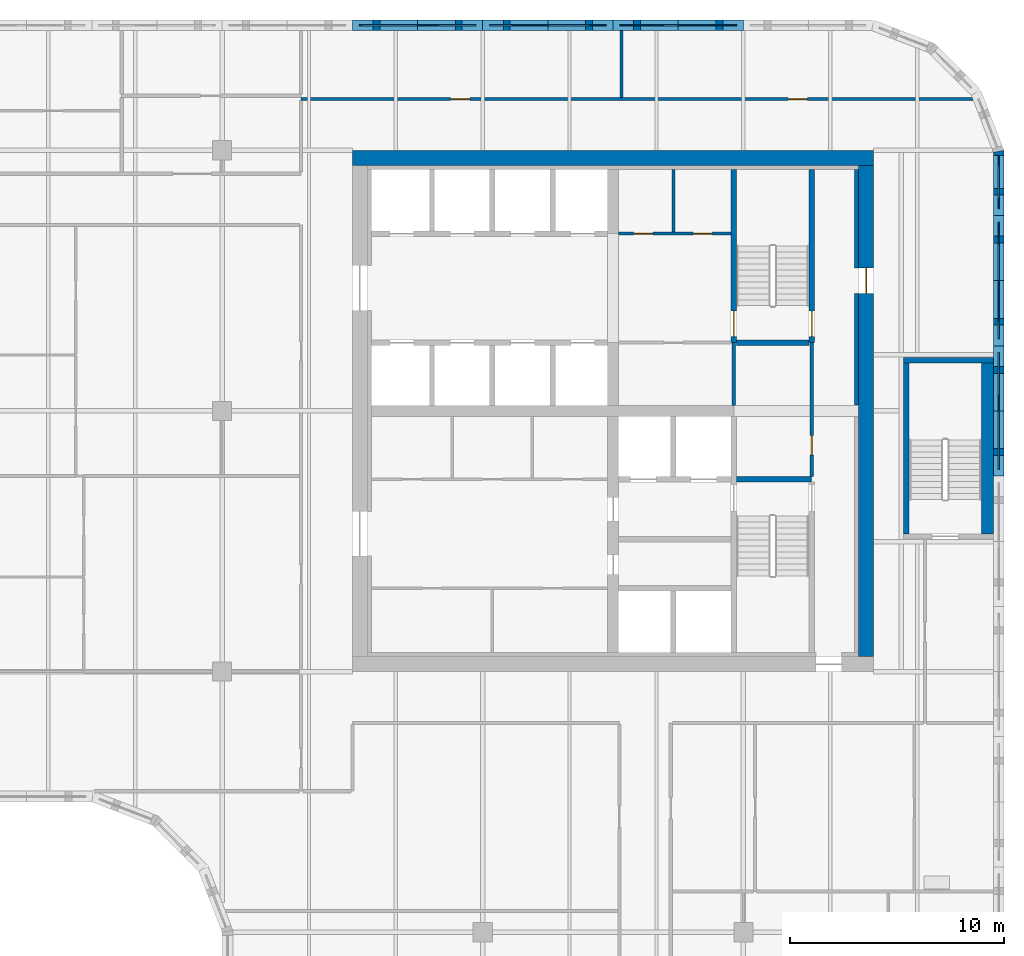
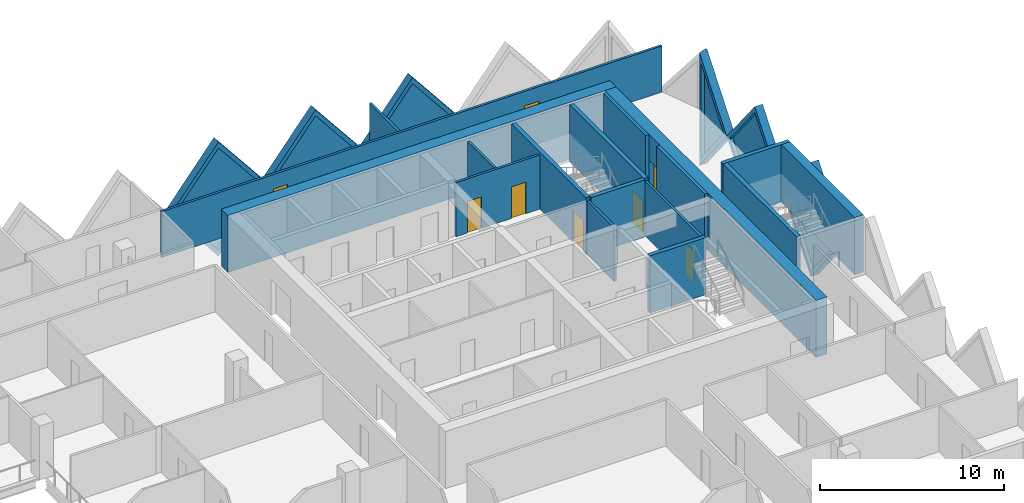
# One storey, part 9 of 12: 23 walls, 8 doors, 6 plates, 14 openings.
"""IFC4 building model written with IfcOpenShell, lengths in metres."""

from ifc_helpers import new_model, si_unit, direction, frame, frame_2d, origin, place, context, subcontext, project, spatial, polyline, rectangle, outline, extrude, faceted_brep, source, transform, mapped, material, layer, layer_set, type_object, element, fill, save


model = new_model("IFC4")

# Units and contexts
model_context = context("Model", 3, precision=1e-05, world=origin(), true_north=direction((0.0, 1.0)))
body_context = subcontext(model_context, "Body", "Model", "MODEL_VIEW")
ifc_project = project(units=[si_unit("LENGTHUNIT", "METRE"), si_unit("AREAUNIT", "SQUARE_METRE"), si_unit("VOLUMEUNIT", "CUBIC_METRE"), si_unit("PLANEANGLEUNIT", "RADIAN"), si_unit("MASSUNIT", "GRAM", prefix="KILO")], contexts=[model_context])

# Site, building, storey
site_placement = place(None, origin())
site = spatial("IfcSite", under=ifc_project, at=site_placement, CompositionType="ELEMENT")
building_placement = place(site_placement, origin())
building = spatial("IfcBuilding", under=site, at=building_placement, Name="Tessera Gate Towers", CompositionType="ELEMENT")
storey_placement = place(building_placement, frame((0.0, 0.0, 124.0)))
storey = spatial("IfcBuildingStorey", under=building, at=storey_placement, Name="L30", CompositionType="ELEMENT", Elevation=124.0)

# Wall
ifc_material_1 = material(Name="Concrete C40/50", Category="concrete")
ifc_layer_1 = layer(ifc_material_1, 0.25)
ifc_layer_set_1 = layer_set([ifc_layer_1], Name="CORE ENCLOSURE WALL 250")
wall_type_1 = type_object("IfcWallType", Name="CORE ENCLOSURE WALL 250", PredefinedType="SOLIDWALL", material=ifc_layer_set_1)
wall_1_placement = place(storey_placement, frame((48.47509765625, 33.39990234375, 0.0), z_axis=(0.0, 0.0, 1.0), x_axis=(1.0, 0.0, 0.0)))
element("IfcWall", 1, at=wall_1_placement, inside=storey, type_object=wall_type_1, Name="L30 shaft and stair enclosure wall", PredefinedType="SOLIDWALL", context=body_context, shape_type="SweptSolid", body=[
    extrude(rectangle(XDim=3.52490234375, YDim=0.25, at=frame_2d((1.762451171875, 0.0))), origin(), (0.0, 0.0, 1.0), 3.800048828125),
])

# Wall, opening, door
wall_2_placement = place(storey_placement, frame((48.35009765625, 47.89990234375, 0.0), z_axis=(0.0, 0.0, 1.0), x_axis=(0.0, -1.0, 0.0)))
wall_2 = element("IfcWall", 2, at=wall_2_placement, inside=storey, type_object=wall_type_1, Name="L30 shaft and stair enclosure wall", PredefinedType="SOLIDWALL", context=body_context, shape_type="SweptSolid", body=[
    extrude(rectangle(XDim=8.099853515625, YDim=0.25, at=frame_2d((4.0498046875, 0.0))), origin(), (0.0, 0.0, 1.0), 3.800048828125),
])
shared_shape_1 = source(origin(), body_context, "Body", "SweptSolid", [
    extrude(rectangle(XDim=1.199951171875, YDim=2.10009765625, at=frame_2d((0.60009765625, 1.050048828125))), frame((0.0, 0.135009765625, 0.0), z_axis=(0.0, -1.0, 0.0), x_axis=(1.0, 0.0, 0.0)), (0.0, 0.0, 1.0), 0.27001953125),
])
opening_1_placement = place(wall_2_placement, frame((6.625, 0.0, 0.0)))
opening_1 = element("IfcOpeningElement", 3, at=opening_1_placement, cuts=wall_2, Name="Opening SD-ST2-1", PredefinedType="OPENING", context=body_context, shape_type="MappedRepresentation", body=[
    mapped(shared_shape_1, transform((0.0, 0.0, 0.0), scale=1.0)),
])
ifc_material_2 = material(Name="Hollow steel fire door", Category="steel")
door_type_1 = type_object("IfcDoorType", Name="CORE DOOR SD 1200x2100", OperationType="NOTDEFINED", PredefinedType="DOOR", material=ifc_material_2)
shared_shape_2 = source(origin(), body_context, "Body", "SweptSolid", [
    extrude(rectangle(XDim=1.199951171875, YDim=2.10009765625, at=frame_2d((0.60009765625, 1.050048828125))), frame((0.0, 0.02490234375, 0.0), z_axis=(0.0, -1.0, 0.0), x_axis=(1.0, 0.0, 0.0)), (0.0, 0.0, 1.0), 0.050048828125),
])
door_1_placement = place(opening_1_placement, origin())
door_1 = element("IfcDoor", 4, at=door_1_placement, inside=storey, type_object=door_type_1, Name="Stair door", OperationType="SINGLE_SWING_RIGHT", OverallHeight=2.10009765625, OverallWidth=1.199951171875, PredefinedType="DOOR", context=body_context, shape_type="MappedRepresentation", body=[
    mapped(shared_shape_2, transform((0.0, 0.0, 0.0), scale=1.0)),
])
fill(opening_1, door_1)

wall_3_placement = place(storey_placement, frame((52.0, 39.800048828125, 0.0), z_axis=(0.0, 0.0, 1.0), x_axis=(0.0, 1.0, 0.0)))
wall_3 = element("IfcWall", 5, at=wall_3_placement, inside=storey, type_object=wall_type_1, Name="L30 shaft and stair enclosure wall", PredefinedType="SOLIDWALL", context=body_context, shape_type="SweptSolid", body=[
    extrude(rectangle(XDim=8.099853515625, YDim=0.25, at=frame_2d((4.0498046875, 0.0))), origin(), (0.0, 0.0, 1.0), 3.800048828125),
])
opening_2_placement = place(wall_3_placement, frame((0.27490234375, 0.0, 0.0)))
opening_2 = element("IfcOpeningElement", 6, at=opening_2_placement, cuts=wall_3, Name="Opening SD-ST2-2", PredefinedType="OPENING", context=body_context, shape_type="MappedRepresentation", body=[
    mapped(shared_shape_1, transform((0.0, 0.0, 0.0), scale=1.0)),
])
door_2_placement = place(opening_2_placement, origin())
door_2 = element("IfcDoor", 7, at=door_2_placement, inside=storey, type_object=door_type_1, Name="Stair door", OperationType="SINGLE_SWING_LEFT", OverallHeight=2.10009765625, OverallWidth=1.199951171875, PredefinedType="DOOR", context=body_context, shape_type="MappedRepresentation", body=[
    mapped(shared_shape_2, transform((0.0, 0.0, 0.0), scale=1.0)),
])
fill(opening_2, door_2)

# Walls
wall_4_placement = place(storey_placement, frame((48.47509765625, 39.800048828125, 0.0), z_axis=(0.0, 0.0, 1.0), x_axis=(1.0, 0.0, 0.0)))
element("IfcWall", 8, at=wall_4_placement, inside=storey, type_object=wall_type_1, Name="L30 shaft and stair enclosure wall", PredefinedType="SOLIDWALL", context=body_context, shape_type="SweptSolid", body=[
    extrude(rectangle(XDim=3.39990234375, YDim=0.25, at=frame_2d((1.699951171875, 0.0))), origin(), (0.0, 0.0, 1.0), 3.800048828125),
])
wall_5_placement = place(storey_placement, frame((56.425048828125, 30.85009765625, 0.0), z_axis=(0.0, 0.0, 1.0), x_axis=(0.0, 1.0, 0.0)))
element("IfcWall", 9, at=wall_5_placement, inside=storey, type_object=wall_type_1, Name="L30 ST5 enclosure wall", PredefinedType="SOLIDWALL", context=body_context, shape_type="SweptSolid", body=[
    extrude(rectangle(XDim=8.0, YDim=0.25, at=frame_2d((4.0, 0.0))), origin(), (0.0, 0.0, 1.0), 3.800048828125),
])
wall_6_placement = place(storey_placement, frame((56.300048828125, 38.97509765625, 0.0), z_axis=(0.0, 0.0, 1.0), x_axis=(1.0, 0.0, 0.0)))
element("IfcWall", 10, at=wall_6_placement, inside=storey, type_object=wall_type_1, Name="L30 ST5 enclosure wall", PredefinedType="SOLIDWALL", context=body_context, shape_type="SweptSolid", body=[
    extrude(rectangle(XDim=4.199951171875, YDim=0.25, at=frame_2d((2.10009765625, 0.0))), origin(), (0.0, 0.0, 1.0), 3.800048828125),
])
ifc_material_3 = material(Name="Concrete C40/50", Category="concrete")
ifc_layer_2 = layer(ifc_material_3, 0.550048828125)
ifc_layer_set_2 = layer_set([ifc_layer_2], Name="CORE ENCLOSURE WALL 550")
wall_type_2 = type_object("IfcWallType", Name="CORE ENCLOSURE WALL 550", PredefinedType="SOLIDWALL", material=ifc_layer_set_2)
wall_7_placement = place(storey_placement, frame((60.22509765625, 38.85009765625, 0.0), z_axis=(0.0, 0.0, 1.0), x_axis=(0.0, -1.0, 0.0)))
element("IfcWall", 11, at=wall_7_placement, inside=storey, type_object=wall_type_2, Name="L30 ST5 enclosure wall", PredefinedType="SOLIDWALL", context=body_context, shape_type="SweptSolid", body=[
    extrude(rectangle(XDim=8.0, YDim=0.550048828125, at=frame_2d((4.0, 0.0))), origin(), (0.0, 0.0, 1.0), 3.800048828125),
])
ifc_material_4 = material(Name="Concrete C60/75", Category="concrete")
ifc_layer_3 = layer(ifc_material_4, 0.699951171875)
ifc_layer_set_3 = layer_set([ifc_layer_3], Name="CORE SHEAR WALL 700 C60/75")
wall_type_3 = type_object("IfcWallType", Name="CORE SHEAR WALL 700 C60/75", PredefinedType="SHEAR", material=ifc_layer_set_3)
wall_8_placement = place(storey_placement, frame((30.5, 48.449951171875, 0.0), z_axis=(0.0, 0.0, 1.0), x_axis=(1.0, 0.0, 0.0)))
element("IfcWall", 12, at=wall_8_placement, inside=storey, type_object=wall_type_3, Name="Core wall N L30", PredefinedType="SHEAR", context=body_context, shape_type="SweptSolid", body=[
    extrude(rectangle(XDim=24.39990234375, YDim=0.699951171875, at=frame_2d((12.199951171875, 0.0))), origin(), (0.0, 0.0, 1.0), 3.800048828125),
])

# Wall, opening, door
wall_9_placement = place(storey_placement, frame((54.550048828125, 48.10009765625, 0.0), z_axis=(0.0, 0.0, 1.0), x_axis=(0.0, -1.0, 0.0)))
wall_9 = element("IfcWall", 13, at=wall_9_placement, inside=storey, type_object=wall_type_3, Name="Core wall E L30", PredefinedType="SHEAR", context=body_context, shape_type="SweptSolid", body=[
    extrude(rectangle(XDim=23.0, YDim=0.699951171875, at=frame_2d((11.5, 0.0))), origin(), (0.0, 0.0, 1.0), 3.800048828125),
])
shared_shape_3 = source(origin(), body_context, "Body", "SweptSolid", [
    extrude(rectangle(XDim=1.199951171875, YDim=2.10009765625, at=frame_2d((0.60009765625, 1.050048828125))), frame((0.0, 0.35986328125, 0.0), z_axis=(0.0, -1.0, 0.0), x_axis=(1.0, 0.0, 0.0)), (0.0, 0.0, 1.0), 0.719970703125),
])
opening_3_placement = place(wall_9_placement, frame((4.800048828125, 0.0, 0.0)))
opening_3 = element("IfcOpeningElement", 14, at=opening_3_placement, cuts=wall_9, Name="Opening ED-T1-21-04", PredefinedType="OPENING", context=body_context, shape_type="MappedRepresentation", body=[
    mapped(shared_shape_3, transform((0.0, 0.0, 0.0), scale=1.0)),
])
ifc_material_5 = material(Name="Hollow steel fire door", Category="steel")
door_type_2 = type_object("IfcDoorType", Name="CORE DOOR ED 1200x2100", OperationType="NOTDEFINED", PredefinedType="DOOR", material=ifc_material_5)
door_3_placement = place(opening_3_placement, origin())
door_3 = element("IfcDoor", 15, at=door_3_placement, inside=storey, type_object=door_type_2, Name="Core exit door", OperationType="SINGLE_SWING_LEFT", OverallHeight=2.10009765625, OverallWidth=1.199951171875, PredefinedType="DOOR", context=body_context, shape_type="MappedRepresentation", body=[
    mapped(shared_shape_2, transform((0.0, 0.0, 0.0), scale=1.0)),
])
fill(opening_3, door_3)

# Walls
ifc_material_6 = material(Name="Concrete C60/75", Category="concrete")
ifc_layer_4 = layer(ifc_material_6, 0.199951171875)
ifc_layer_set_4 = layer_set([ifc_layer_4], Name="CORE WALL THICKENING 200")
wall_type_4 = type_object("IfcWallType", Name="CORE WALL THICKENING 200", PredefinedType="SOLIDWALL", material=ifc_layer_set_4)
wall_10_placement = place(storey_placement, frame((54.10009765625, 36.8798828125, 0.0), z_axis=(0.0, 0.0, 1.0), x_axis=(0.0, 1.0, 0.0)))
element("IfcWall", 16, at=wall_10_placement, inside=storey, type_object=wall_type_4, Name="Core wall thickening E L30", PredefinedType="SOLIDWALL", context=body_context, shape_type="SweptSolid", body=[
    extrude(rectangle(XDim=5.22021484375, YDim=0.199951171875, at=frame_2d((2.610107421875, 0.0))), origin(), (0.0, 0.0, 1.0), 3.800048828125),
])
wall_11_placement = place(storey_placement, frame((54.10009765625, 43.300048828125, 0.0), z_axis=(0.0, 0.0, 1.0), x_axis=(0.0, 1.0, 0.0)))
element("IfcWall", 17, at=wall_11_placement, inside=storey, type_object=wall_type_4, Name="Core wall thickening E L30", PredefinedType="SOLIDWALL", context=body_context, shape_type="SweptSolid", body=[
    extrude(rectangle(XDim=4.599853515625, YDim=0.199951171875, at=frame_2d((2.2998046875, 0.0))), origin(), (0.0, 0.0, 1.0), 3.800048828125),
])

# Wall, openings, doors
ifc_material_7 = material(Name="Gypsum board on steel studs, mineral wool", Category="steel")
ifc_layer_5 = layer(ifc_material_7, 0.14990234375)
ifc_layer_set_5 = layer_set([ifc_layer_5], Name="CORRIDOR WALL 150")
wall_type_5 = type_object("IfcWallType", Name="CORRIDOR WALL 150", PredefinedType="PARTITIONING", material=ifc_layer_set_5)
wall_12_placement = place(storey_placement, frame((28.10009765625, 51.199951171875, 0.0), z_axis=(0.0, 0.0, 1.0), x_axis=(1.0, 0.0, 0.0)))
wall_12 = element("IfcWall", 18, at=wall_12_placement, inside=storey, type_object=wall_type_5, Name="T1-L30-PW-046", PredefinedType="PARTITIONING", context=body_context, shape_type="SweptSolid", body=[
    extrude(rectangle(XDim=31.438232421875, YDim=0.14990234375, at=frame_2d((15.71923828125, 0.0))), origin(), (0.0, 0.0, 1.0), 3.06689453125),
])
shared_shape_4 = source(origin(), body_context, "Body", "SweptSolid", [
    extrude(rectangle(XDim=0.89990234375, YDim=2.10009765625, at=frame_2d((0.449951171875, 1.050048828125))), frame((0.0, 0.0849609375, 0.0), z_axis=(0.0, -1.0, 0.0), x_axis=(1.0, 0.0, 0.0)), (0.0, 0.0, 1.0), 0.169921875),
])
opening_4_placement = place(wall_12_placement, frame((7.0, 0.0, 0.0)))
opening_4 = element("IfcOpeningElement", 19, at=opening_4_placement, cuts=wall_12, Name="Opening D890FD60-A11-08", PredefinedType="OPENING", context=body_context, shape_type="MappedRepresentation", body=[
    mapped(shared_shape_4, transform((0.0, 0.0, 0.0), scale=1.0)),
])
opening_5_placement = place(wall_12_placement, frame((22.800048828125, 0.0, 0.0)))
opening_5 = element("IfcOpeningElement", 20, at=opening_5_placement, cuts=wall_12, Name="Opening D890FD60-A11-09", PredefinedType="OPENING", context=body_context, shape_type="MappedRepresentation", body=[
    mapped(shared_shape_4, transform((0.0, 0.0, 0.0), scale=1.0)),
])
ifc_material_8 = material(Name="Timber door leaf in steel frame", Category="steel")
door_type_3 = type_object("IfcDoorType", Name="CORRIDOR DOOR 900 FD60", OperationType="NOTDEFINED", PredefinedType="DOOR", material=ifc_material_8)
shared_shape_5 = source(origin(), body_context, "Body", "SweptSolid", [
    extrude(rectangle(XDim=0.89990234375, YDim=2.10009765625, at=frame_2d((0.449951171875, 1.050048828125))), frame((0.0, 0.02490234375, 0.0), z_axis=(0.0, -1.0, 0.0), x_axis=(1.0, 0.0, 0.0)), (0.0, 0.0, 1.0), 0.050048828125),
])
door_4_placement = place(opening_4_placement, origin())
door_4 = element("IfcDoor", 21, at=door_4_placement, inside=storey, type_object=door_type_3, Name="T1-L30-PD-024", OperationType="SINGLE_SWING_LEFT", OverallHeight=2.10009765625, OverallWidth=0.89990234375, PredefinedType="DOOR", context=body_context, shape_type="MappedRepresentation", body=[
    mapped(shared_shape_5, transform((0.0, 0.0, 0.0), scale=1.0)),
])
fill(opening_4, door_4)
door_5_placement = place(opening_5_placement, origin())
door_5 = element("IfcDoor", 22, at=door_5_placement, inside=storey, type_object=door_type_3, Name="T1-L30-PD-025", OperationType="SINGLE_SWING_LEFT", OverallHeight=2.10009765625, OverallWidth=0.89990234375, PredefinedType="DOOR", context=body_context, shape_type="MappedRepresentation", body=[
    mapped(shared_shape_5, transform((0.0, 0.0, 0.0), scale=1.0)),
])
fill(opening_5, door_5)

# Wall, opening, door
ifc_material_9 = material(Name="Gypsum board on steel studs", Category="steel")
ifc_layer_6 = layer(ifc_material_9, 0.14990234375)
ifc_layer_set_6 = layer_set([ifc_layer_6], Name="SERVICE ROOM WALL 150")
wall_type_6 = type_object("IfcWallType", Name="SERVICE ROOM WALL 150", PredefinedType="PARTITIONING", material=ifc_layer_set_6)
wall_13_placement = place(storey_placement, frame((52.0, 33.52490234375, 0.0), z_axis=(0.0, 0.0, 1.0), x_axis=(0.0, 1.0, 0.0)))
wall_13 = element("IfcWall", 23, at=wall_13_placement, inside=storey, type_object=wall_type_6, Name="L30 service room wall", PredefinedType="PARTITIONING", context=body_context, shape_type="SweptSolid", body=[
    extrude(rectangle(XDim=6.275146484375, YDim=0.14990234375, at=frame_2d((3.1376953125, 0.0))), origin(), (0.0, 0.0, 1.0), 3.60009765625),
])
opening_6_placement = place(wall_13_placement, frame((1.02490234375, 0.0, 0.0)))
opening_6 = element("IfcOpeningElement", 24, at=opening_6_placement, cuts=wall_13, Name="Opening RD-T1-21-12", PredefinedType="OPENING", context=body_context, shape_type="MappedRepresentation", body=[
    mapped(shared_shape_4, transform((0.0, 0.0, 0.0), scale=1.0)),
])
ifc_material_10 = material(Name="Hollow steel fire door", Category="steel")
door_type_4 = type_object("IfcDoorType", Name="CORE DOOR RD 900x2100", OperationType="NOTDEFINED", PredefinedType="DOOR", material=ifc_material_10)
door_6_placement = place(opening_6_placement, origin())
door_6 = element("IfcDoor", 25, at=door_6_placement, inside=storey, type_object=door_type_4, Name="Core room door", OperationType="SINGLE_SWING_LEFT", OverallHeight=2.10009765625, OverallWidth=0.89990234375, PredefinedType="DOOR", context=body_context, shape_type="MappedRepresentation", body=[
    mapped(shared_shape_5, transform((0.0, 0.0, 0.0), scale=1.0)),
])
fill(opening_6, door_6)

# Wall, openings, doors
wall_14_placement = place(storey_placement, frame((42.949951171875, 44.89990234375, 0.0), z_axis=(0.0, 0.0, 1.0), x_axis=(1.0, 0.0, 0.0)))
wall_14 = element("IfcWall", 26, at=wall_14_placement, inside=storey, type_object=wall_type_6, Name="L30 service room wall", PredefinedType="PARTITIONING", context=body_context, shape_type="SweptSolid", body=[
    extrude(rectangle(XDim=5.275146484375, YDim=0.14990234375, at=frame_2d((2.6376953125, 0.0))), origin(), (0.0, 0.0, 1.0), 3.60009765625),
])
opening_7_placement = place(wall_14_placement, frame((0.71240234375, 0.0, 0.0)))
opening_7 = element("IfcOpeningElement", 27, at=opening_7_placement, cuts=wall_14, Name="Opening RD-T1-21-14", PredefinedType="OPENING", context=body_context, shape_type="MappedRepresentation", body=[
    mapped(shared_shape_4, transform((0.0, 0.0, 0.0), scale=1.0)),
])
opening_8_placement = place(wall_14_placement, frame((3.5, 0.0, 0.0)))
opening_8 = element("IfcOpeningElement", 28, at=opening_8_placement, cuts=wall_14, Name="Opening RD-T1-21-15", PredefinedType="OPENING", context=body_context, shape_type="MappedRepresentation", body=[
    mapped(shared_shape_4, transform((0.0, 0.0, 0.0), scale=1.0)),
])
door_7_placement = place(opening_7_placement, origin())
door_7 = element("IfcDoor", 29, at=door_7_placement, inside=storey, type_object=door_type_4, Name="Core room door", OperationType="SINGLE_SWING_LEFT", OverallHeight=2.10009765625, OverallWidth=0.89990234375, PredefinedType="DOOR", context=body_context, shape_type="MappedRepresentation", body=[
    mapped(shared_shape_5, transform((0.0, 0.0, 0.0), scale=1.0)),
])
fill(opening_7, door_7)
door_8_placement = place(opening_8_placement, origin())
door_8 = element("IfcDoor", 30, at=door_8_placement, inside=storey, type_object=door_type_4, Name="Core room door", OperationType="SINGLE_SWING_RIGHT", OverallHeight=2.10009765625, OverallWidth=0.89990234375, PredefinedType="DOOR", context=body_context, shape_type="MappedRepresentation", body=[
    mapped(shared_shape_5, transform((0.0, 0.0, 0.0), scale=1.0)),
])
fill(opening_8, door_8)

# Walls
wall_15_placement = place(storey_placement, frame((48.35009765625, 36.85009765625, 0.0), z_axis=(0.0, 0.0, 1.0), x_axis=(0.0, 1.0, 0.0)))
element("IfcWall", 31, at=wall_15_placement, inside=storey, type_object=wall_type_6, Name="L30 service room wall", PredefinedType="PARTITIONING", context=body_context, shape_type="SweptSolid", body=[
    extrude(rectangle(XDim=2.949951171875, YDim=0.14990234375, at=frame_2d((1.47509765625, 0.0))), origin(), (0.0, 0.0, 1.0), 3.60009765625),
])
wall_16_placement = place(storey_placement, frame((45.52490234375, 44.97509765625, 0.0), z_axis=(0.0, 0.0, 1.0), x_axis=(0.0, 1.0, 0.0)))
element("IfcWall", 32, at=wall_16_placement, inside=storey, type_object=wall_type_6, Name="L30 service room wall", PredefinedType="PARTITIONING", context=body_context, shape_type="SweptSolid", body=[
    extrude(rectangle(XDim=2.9248046875, YDim=0.14990234375, at=frame_2d((1.46240234375, 0.0))), origin(), (0.0, 0.0, 1.0), 3.60009765625),
])
ifc_material_11 = material(Name="Gypsum board on steel studs, mineral wool", Category="steel")
ifc_layer_7 = layer(ifc_material_11, 0.14990234375)
ifc_layer_set_7 = layer_set([ifc_layer_7], Name="TENANCY WALL 150")
wall_type_7 = type_object("IfcWallType", Name="TENANCY WALL 150", PredefinedType="PARTITIONING", material=ifc_layer_set_7)
wall_17_placement = place(storey_placement, frame((43.10009765625, 51.27587890625, 0.0), z_axis=(0.0, 0.0, 1.0), x_axis=(0.0, 1.0, 0.0)))
element("IfcWall", 33, at=wall_17_placement, inside=storey, type_object=wall_type_7, Name="T1-L30-PW-047", PredefinedType="PARTITIONING", context=body_context, shape_type="SweptSolid", body=[
    extrude(rectangle(XDim=3.1240234375, YDim=0.14990234375, at=frame_2d((1.56201171875, 0.0))), origin(), (0.0, 0.0, 1.0), 3.06689453125),
])

# Wall, opening, plate
ifc_material_12 = material(Name="Precast concrete C60/75 white", Category="concrete")
ifc_layer_8 = layer(ifc_material_12, 0.5)
ifc_layer_set_8 = layer_set([ifc_layer_8], Name="TS1 tessera")
wall_type_8 = type_object("IfcWallType", Name="TS1 tessera", PredefinedType="SOLIDWALL", material=ifc_layer_set_8)
shared_shape_6 = source(origin(), body_context, "Body", "Brep", [
    faceted_brep([(3.050048828125, -0.25, 0.0), (6.099853515625, -0.25, 3.7998046875), (6.099853515625, -0.25, 3.80029296875), (3.050048828125, -0.25, 7.60009765625), (0.0, -0.25, 3.800048828125), (0.0, 0.25, 3.800048828125), (3.050048828125, 0.25, 7.60009765625), (6.099853515625, 0.25, 3.80029296875), (6.099853515625, 0.25, 3.7998046875), (3.050048828125, 0.25, 0.0)], [[[0, 1, 2, 3, 4]], [[5, 6, 7, 8, 9]], [[9, 8, 1, 0]], [[7, 6, 3, 2]], [[6, 5, 4, 3]], [[5, 9, 0, 4]], [[1, 8, 7, 2]]]),
])
wall_18_placement = place(storey_placement, frame((60.75, 33.550048828125, -3.800048828125), z_axis=(0.0, 0.0, 1.0), x_axis=(0.0, 1.0, 0.0)))
wall_18 = element("IfcWall", 34, at=wall_18_placement, inside=storey, type_object=wall_type_8, Name="Precast tessera T1 TS1-0491", PredefinedType="SOLIDWALL", context=body_context, shape_type="MappedRepresentation", body=[
    mapped(shared_shape_6, transform((0.0, 0.0, 0.0), scale=1.0)),
])
shared_shape_7 = source(origin(), body_context, "Body", "SweptSolid", [
    extrude(outline(polyline([(3.050048828125, 0.3994140625), (5.779541015625, 3.800048828125), (3.050048828125, 7.20068359375), (0.320556640625, 3.800048828125), (3.050048828125, 0.3994140625)])), frame((0.0, 0.260009765625, 0.0), z_axis=(0.0, -1.0, 0.0), x_axis=(1.0, 0.0, 0.0)), (0.0, 0.0, 1.0), 0.52001953125),
])
opening_9_placement = place(wall_18_placement, origin())
opening_9 = element("IfcOpeningElement", 35, at=opening_9_placement, cuts=wall_18, Name="Opening T1-PL2-0999", PredefinedType="OPENING", context=body_context, shape_type="MappedRepresentation", body=[
    mapped(shared_shape_7, transform((0.0, 0.0, 0.0), scale=1.0)),
])
ifc_material_13 = material(Name="Low-e laminated glass", Category="glass")
ifc_layer_9 = layer(ifc_material_13, 0.06005859375)
ifc_layer_set_9 = layer_set([ifc_layer_9], Name="PL2 rhombic pane")
plate_type = type_object("IfcPlateType", Name="PL2 rhombic pane", PredefinedType="SHEET", material=ifc_layer_set_9)
shared_shape_8 = source(origin(), body_context, "Body", "SweptSolid", [
    extrude(outline(polyline([(3.050048828125, 0.3994140625), (5.779541015625, 3.800048828125), (3.050048828125, 7.20068359375), (0.320556640625, 3.800048828125), (3.050048828125, 0.3994140625)])), frame((0.0, 0.030029296875, 0.0), z_axis=(0.0, -1.0, 0.0), x_axis=(1.0, 0.0, 0.0)), (0.0, 0.0, 1.0), 0.06005859375),
])
plate_1_placement = place(opening_9_placement, origin())
plate_1 = element("IfcPlate", 36, at=plate_1_placement, inside=storey, type_object=plate_type, Name="Glass pane T1 PL2-0999", PredefinedType="SHEET", context=body_context, shape_type="MappedRepresentation", body=[
    mapped(shared_shape_8, transform((0.0, 0.0, 0.0), scale=1.0)),
])
fill(opening_9, plate_1)

wall_19_placement = place(storey_placement, frame((42.699951171875, 54.64990234375, -3.800048828125), z_axis=(0.0, 0.0, 1.0), x_axis=(-1.0, 0.0, 0.0)))
wall_19 = element("IfcWall", 37, at=wall_19_placement, inside=storey, type_object=wall_type_8, Name="Precast tessera T1 TS1-0495", PredefinedType="SOLIDWALL", context=body_context, shape_type="MappedRepresentation", body=[
    mapped(shared_shape_6, transform((0.0, 0.0, 0.0), scale=1.0)),
])
opening_10_placement = place(wall_19_placement, origin())
opening_10 = element("IfcOpeningElement", 38, at=opening_10_placement, cuts=wall_19, Name="Opening T1-PL2-1007", PredefinedType="OPENING", context=body_context, shape_type="MappedRepresentation", body=[
    mapped(shared_shape_7, transform((0.0, 0.0, 0.0), scale=1.0)),
])
plate_2_placement = place(opening_10_placement, origin())
plate_2 = element("IfcPlate", 39, at=plate_2_placement, inside=storey, type_object=plate_type, Name="Glass pane T1 PL2-1007", PredefinedType="SHEET", context=body_context, shape_type="MappedRepresentation", body=[
    mapped(shared_shape_8, transform((0.0, 0.0, 0.0), scale=1.0)),
])
fill(opening_10, plate_2)

shared_shape_9 = source(origin(), body_context, "Body", "SweptSolid", [
    extrude(outline(polyline([(3.050048828125, 0.0), (6.10009765625, 3.800048828125), (3.050048828125, 7.60009765625), (0.0, 3.800048828125), (3.050048828125, 0.0)])), frame((0.0, 0.25, 0.0), z_axis=(0.0, -1.0, 0.0), x_axis=(1.0, 0.0, 0.0)), (0.0, 0.0, 1.0), 0.5),
])
wall_20_placement = place(storey_placement, frame((60.75, 39.64990234375, -3.800048828125), z_axis=(0.0, 0.0, 1.0), x_axis=(0.0, 1.0, 0.0)))
wall_20 = element("IfcWall", 40, at=wall_20_placement, inside=storey, type_object=wall_type_8, Name="Precast tessera T1 TS1-0492", PredefinedType="SOLIDWALL", context=body_context, shape_type="MappedRepresentation", body=[
    mapped(shared_shape_9, transform((0.0, 0.0, 0.0), scale=1.0)),
])
opening_11_placement = place(wall_20_placement, origin())
opening_11 = element("IfcOpeningElement", 41, at=opening_11_placement, cuts=wall_20, Name="Opening T1-PL2-1000", PredefinedType="OPENING", context=body_context, shape_type="MappedRepresentation", body=[
    mapped(shared_shape_7, transform((0.0, 0.0, 0.0), scale=1.0)),
])
plate_3_placement = place(opening_11_placement, origin())
plate_3 = element("IfcPlate", 42, at=plate_3_placement, inside=storey, type_object=plate_type, Name="Glass pane T1 PL2-1000", PredefinedType="SHEET", context=body_context, shape_type="MappedRepresentation", body=[
    mapped(shared_shape_8, transform((0.0, 0.0, 0.0), scale=1.0)),
])
fill(opening_11, plate_3)

wall_21_placement = place(storey_placement, frame((48.800048828125, 54.64990234375, -3.800048828125), z_axis=(0.0, 0.0, 1.0), x_axis=(-1.0, 0.0, 0.0)))
wall_21 = element("IfcWall", 43, at=wall_21_placement, inside=storey, type_object=wall_type_8, Name="Precast tessera T1 TS1-0494", PredefinedType="SOLIDWALL", context=body_context, shape_type="MappedRepresentation", body=[
    mapped(shared_shape_9, transform((0.0, 0.0, 0.0), scale=1.0)),
])
opening_12_placement = place(wall_21_placement, origin())
opening_12 = element("IfcOpeningElement", 44, at=opening_12_placement, cuts=wall_21, Name="Opening T1-PL2-1006", PredefinedType="OPENING", context=body_context, shape_type="MappedRepresentation", body=[
    mapped(shared_shape_7, transform((0.0, 0.0, 0.0), scale=1.0)),
])
plate_4_placement = place(opening_12_placement, origin())
plate_4 = element("IfcPlate", 45, at=plate_4_placement, inside=storey, type_object=plate_type, Name="Glass pane T1 PL2-1006", PredefinedType="SHEET", context=body_context, shape_type="MappedRepresentation", body=[
    mapped(shared_shape_8, transform((0.0, 0.0, 0.0), scale=1.0)),
])
fill(opening_12, plate_4)

wall_22_placement = place(storey_placement, frame((36.60009765625, 54.64990234375, -3.800048828125), z_axis=(0.0, 0.0, 1.0), x_axis=(-1.0, 0.0, 0.0)))
wall_22 = element("IfcWall", 46, at=wall_22_placement, inside=storey, type_object=wall_type_8, Name="Precast tessera T1 TS1-0496", PredefinedType="SOLIDWALL", context=body_context, shape_type="MappedRepresentation", body=[
    mapped(shared_shape_9, transform((0.0, 0.0, 0.0), scale=1.0)),
])
opening_13_placement = place(wall_22_placement, origin())
opening_13 = element("IfcOpeningElement", 47, at=opening_13_placement, cuts=wall_22, Name="Opening T1-PL2-1008", PredefinedType="OPENING", context=body_context, shape_type="MappedRepresentation", body=[
    mapped(shared_shape_7, transform((0.0, 0.0, 0.0), scale=1.0)),
])
plate_5_placement = place(opening_13_placement, origin())
plate_5 = element("IfcPlate", 48, at=plate_5_placement, inside=storey, type_object=plate_type, Name="Glass pane T1 PL2-1008", PredefinedType="SHEET", context=body_context, shape_type="MappedRepresentation", body=[
    mapped(shared_shape_8, transform((0.0, 0.0, 0.0), scale=1.0)),
])
fill(opening_13, plate_5)

ifc_material_14 = material(Name="Precast concrete C60/75 white", Category="concrete")
ifc_layer_10 = layer(ifc_material_14, 0.5)
ifc_layer_set_10 = layer_set([ifc_layer_10], Name="TS3 corner tessera")
wall_type_9 = type_object("IfcWallType", Name="TS3 corner tessera", PredefinedType="SOLIDWALL", material=ifc_layer_set_10)
shared_shape_10 = source(origin(), body_context, "Body", "Brep", [
    faceted_brep([(3.00341796875, -0.25, 0.0), (3.050048828125, -0.25, 0.06005859375), (3.050048828125, -0.25, 7.5400390625), (3.00341796875, -0.25, 7.60009765625), (0.0, -0.25, 3.800048828125), (0.0, 0.25, 3.800048828125), (2.956787109375, 0.25, 7.541259765625), (2.956787109375, 0.25, 0.058837890625), (3.00341796875, 0.000244140625, 0.0), (3.00341796875, 0.000244140625, 7.60009765625)], [[[0, 1, 2, 3, 4]], [[5, 6, 7]], [[1, 0, 8]], [[9, 3, 2]], [[6, 5, 4, 3, 9]], [[5, 7, 8, 0, 4]], [[1, 8, 7, 6, 9, 2]]]),
])
wall_23_placement = place(storey_placement, frame((60.75, 45.75, -3.800048828125), z_axis=(0.0, 0.0, 1.0), x_axis=(0.0, 1.0, 0.0)))
wall_23 = element("IfcWall", 49, at=wall_23_placement, inside=storey, type_object=wall_type_9, Name="Precast corner tessera T1 TS3-0677", PredefinedType="SOLIDWALL", context=body_context, shape_type="MappedRepresentation", body=[
    mapped(shared_shape_10, transform((0.0, 0.0, 0.0), scale=1.0)),
])
shared_shape_11 = source(origin(), body_context, "Body", "SweptSolid", [
    extrude(outline(polyline([(2.803466796875, 6.94384765625), (0.318603515625, 3.800048828125), (2.803466796875, 0.65625), (2.803466796875, 6.94384765625)])), frame((0.0, 0.260009765625, 0.0), z_axis=(0.0, -1.0, 0.0), x_axis=(1.0, 0.0, 0.0)), (0.0, 0.0, 1.0), 0.52001953125),
])
opening_14_placement = place(wall_23_placement, origin())
opening_14 = element("IfcOpeningElement", 50, at=opening_14_placement, cuts=wall_23, Name="Opening T1-PL2-1001", PredefinedType="OPENING", context=body_context, shape_type="MappedRepresentation", body=[
    mapped(shared_shape_11, transform((0.0, 0.0, 0.0), scale=1.0)),
])
shared_shape_12 = source(origin(), body_context, "Body", "SweptSolid", [
    extrude(outline(polyline([(2.803466796875, 6.94384765625), (0.318603515625, 3.800048828125), (2.803466796875, 0.65625), (2.803466796875, 6.94384765625)])), frame((0.0, 0.030029296875, 0.0), z_axis=(0.0, -1.0, 0.0), x_axis=(1.0, 0.0, 0.0)), (0.0, 0.0, 1.0), 0.06005859375),
])
plate_6_placement = place(opening_14_placement, origin())
plate_6 = element("IfcPlate", 51, at=plate_6_placement, inside=storey, type_object=plate_type, Name="Glass pane T1 PL2-1001", PredefinedType="SHEET", context=body_context, shape_type="MappedRepresentation", body=[
    mapped(shared_shape_12, transform((0.0, 0.0, 0.0), scale=1.0)),
])
fill(opening_14, plate_6)

save(model, "model.ifc")
